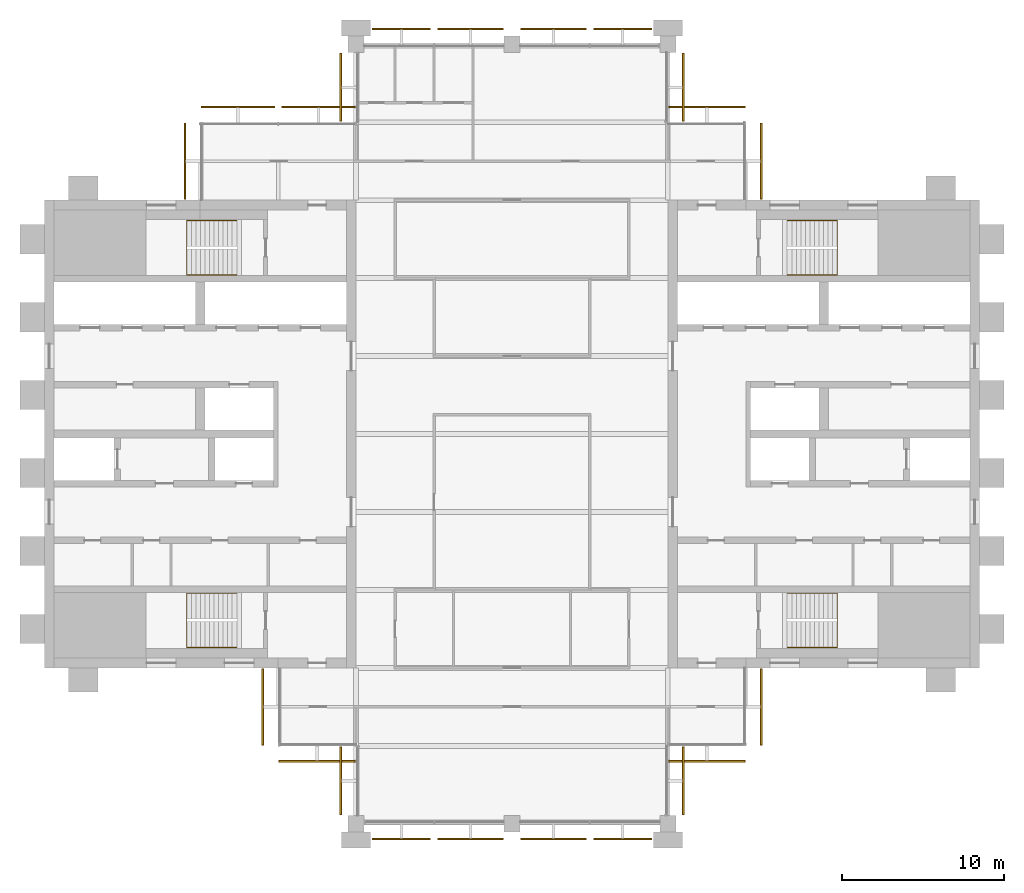
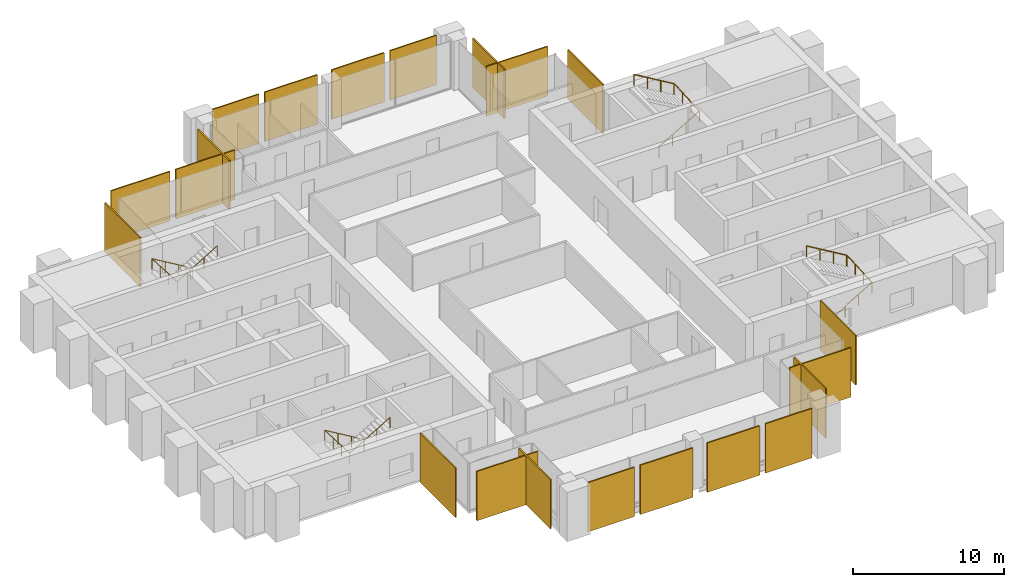
# One storey, part 12 of 12: 21 coverings, 4 railings.
"""IFC4 building model written with IfcOpenShell, lengths in metres."""

from ifc_helpers import new_model, si_unit, direction, frame, origin, origin_2d, place, context, subcontext, project, spatial, polyline, circle, outline, extrude, material, layer, layer_set, type_object, element, save


model = new_model("IFC4")

# Units and contexts
model_context = context("Model", 3, precision=1e-05, world=origin(), true_north=direction((0.0, 1.0)))
body_context = subcontext(model_context, "Body", "Model", "MODEL_VIEW")
ifc_project = project(units=[si_unit("LENGTHUNIT", "METRE"), si_unit("AREAUNIT", "SQUARE_METRE"), si_unit("VOLUMEUNIT", "CUBIC_METRE"), si_unit("PLANEANGLEUNIT", "RADIAN"), si_unit("MASSUNIT", "GRAM", prefix="KILO")], contexts=[model_context])

# Site, building, storey
site_placement = place(None, origin())
site = spatial("IfcSite", under=ifc_project, at=site_placement, CompositionType="ELEMENT")
building_placement = place(site_placement, origin())
building = spatial("IfcBuilding", under=site, at=building_placement, Name="Baori Bourse Tower", CompositionType="ELEMENT")
storey_placement = place(building_placement, frame((0.0, 0.0, 286.300048828125)))
storey = spatial("IfcBuildingStorey", under=building, at=storey_placement, Name="L62", CompositionType="ELEMENT", Elevation=286.300048828125)

# Railings
ifc_material_1 = material(Name="Powder-coated steel balustrade", Category="steel")
railing_type = type_object("IfcRailingType", Name="Core stair handrail", PredefinedType="HANDRAIL", material=ifc_material_1)
railing_1_placement = place(storey_placement, frame((11.85009765625, 14.199951171875, 0.16650390625)))
element("IfcRailing", 1, at=railing_1_placement, inside=storey, type_object=railing_type, Name="L62 ST1 stair handrail 1", PredefinedType="HANDRAIL", context=body_context, shape_type="SweptSolid", body=[
    extrude(circle(Radius=0.02392578125, at=origin_2d()), frame((0.0, 0.0, 0.8759765625), z_axis=(-0.85927862911, 0.0, 0.511507807912), x_axis=(0.0, -1.0, 0.0)), (0.0, 0.0, 1.0), 3.58447265625),
    extrude(circle(Radius=0.02392578125, at=origin_2d()), frame((-3.080078125, 0.0, 2.70947265625), z_axis=(0.0, -0.998766999029, 0.049643545903), x_axis=(1.0, 0.0, 0.0)), (0.0, 0.0, 1.0), 3.35400390625),
    extrude(circle(Radius=0.02392578125, at=origin_2d()), frame((-3.080078125, -3.349853515625, 2.8759765625), z_axis=(0.85927862911, 0.0, 0.511507807912), x_axis=(0.0, 1.0, 0.0)), (0.0, 0.0, 1.0), 3.58447265625),
    extrude(circle(Radius=0.02099609375, at=origin_2d()), origin(), (0.0, 0.0, 1.0), 0.851806640625),
    extrude(circle(Radius=0.02099609375, at=origin_2d()), frame((-1.026611328125, 0.0, 0.611083984375)), (0.0, 0.0, 1.0), 0.851806640625),
    extrude(circle(Radius=0.02099609375, at=origin_2d()), frame((-2.053466796875, 0.0, 1.222412109375)), (0.0, 0.0, 1.0), 0.851806640625),
    extrude(circle(Radius=0.02099609375, at=origin_2d()), frame((-3.080078125, 0.0, 1.83349609375)), (0.0, 0.0, 1.0), 0.851806640625),
    extrude(circle(Radius=0.02099609375, at=origin_2d()), frame((-3.080078125, -1.11669921875, 1.888916015625)), (0.0, 0.0, 1.0), 0.851806640625),
    extrude(circle(Radius=0.02099609375, at=origin_2d()), frame((-3.080078125, -2.233154296875, 1.944580078125)), (0.0, 0.0, 1.0), 0.851806640625),
    extrude(circle(Radius=0.02099609375, at=origin_2d()), frame((-3.080078125, -3.349853515625, 2.0)), (0.0, 0.0, 1.0), 0.851806640625),
    extrude(circle(Radius=0.02099609375, at=origin_2d()), frame((-2.053466796875, -3.349853515625, 2.611083984375)), (0.0, 0.0, 1.0), 0.851806640625),
    extrude(circle(Radius=0.02099609375, at=origin_2d()), frame((-1.026611328125, -3.349853515625, 3.222412109375)), (0.0, 0.0, 1.0), 0.851806640625),
    extrude(circle(Radius=0.02099609375, at=origin_2d()), frame((0.0, -3.349853515625, 3.83349609375)), (0.0, 0.0, 1.0), 0.851806640625),
])
railing_2_placement = place(storey_placement, frame((11.85009765625, 37.14990234375, 0.16650390625)))
element("IfcRailing", 2, at=railing_2_placement, inside=storey, type_object=railing_type, Name="L62 ST2 stair handrail 1", PredefinedType="HANDRAIL", context=body_context, shape_type="SweptSolid", body=[
    extrude(circle(Radius=0.02392578125, at=origin_2d()), frame((0.0, 0.0, 0.8759765625), z_axis=(-0.85927862911, 0.0, 0.511507807912), x_axis=(0.0, -1.0, 0.0)), (0.0, 0.0, 1.0), 3.58447265625),
    extrude(circle(Radius=0.02392578125, at=origin_2d()), frame((-3.080078125, 0.0, 2.70947265625), z_axis=(0.0, -0.998766999029, 0.049643545903), x_axis=(1.0, 0.0, 0.0)), (0.0, 0.0, 1.0), 3.35400390625),
    extrude(circle(Radius=0.02392578125, at=origin_2d()), frame((-3.080078125, -3.349853515625, 2.8759765625), z_axis=(0.85927862911, 0.0, 0.511507807912), x_axis=(0.0, 1.0, 0.0)), (0.0, 0.0, 1.0), 3.58447265625),
    extrude(circle(Radius=0.02099609375, at=origin_2d()), origin(), (0.0, 0.0, 1.0), 0.851806640625),
    extrude(circle(Radius=0.02099609375, at=origin_2d()), frame((-1.026611328125, 0.0, 0.611083984375)), (0.0, 0.0, 1.0), 0.851806640625),
    extrude(circle(Radius=0.02099609375, at=origin_2d()), frame((-2.053466796875, 0.0, 1.222412109375)), (0.0, 0.0, 1.0), 0.851806640625),
    extrude(circle(Radius=0.02099609375, at=origin_2d()), frame((-3.080078125, 0.0, 1.83349609375)), (0.0, 0.0, 1.0), 0.851806640625),
    extrude(circle(Radius=0.02099609375, at=origin_2d()), frame((-3.080078125, -1.11669921875, 1.888916015625)), (0.0, 0.0, 1.0), 0.851806640625),
    extrude(circle(Radius=0.02099609375, at=origin_2d()), frame((-3.080078125, -2.233154296875, 1.944580078125)), (0.0, 0.0, 1.0), 0.851806640625),
    extrude(circle(Radius=0.02099609375, at=origin_2d()), frame((-3.080078125, -3.349853515625, 2.0)), (0.0, 0.0, 1.0), 0.851806640625),
    extrude(circle(Radius=0.02099609375, at=origin_2d()), frame((-2.053466796875, -3.349853515625, 2.611083984375)), (0.0, 0.0, 1.0), 0.851806640625),
    extrude(circle(Radius=0.02099609375, at=origin_2d()), frame((-1.026611328125, -3.349853515625, 3.222412109375)), (0.0, 0.0, 1.0), 0.851806640625),
    extrude(circle(Radius=0.02099609375, at=origin_2d()), frame((0.0, -3.349853515625, 3.83349609375)), (0.0, 0.0, 1.0), 0.851806640625),
])
railing_3_placement = place(storey_placement, frame((45.75, 10.85009765625, 0.16650390625)))
element("IfcRailing", 3, at=railing_3_placement, inside=storey, type_object=railing_type, Name="L62 ST3 stair handrail 1", PredefinedType="HANDRAIL", context=body_context, shape_type="SweptSolid", body=[
    extrude(circle(Radius=0.02392578125, at=origin_2d()), frame((0.0, 0.0, 0.8759765625), z_axis=(0.85927862911, 0.0, 0.511507807912), x_axis=(0.0, 1.0, 0.0)), (0.0, 0.0, 1.0), 3.58447265625),
    extrude(circle(Radius=0.02392578125, at=origin_2d()), frame((3.080078125, 0.0, 2.70947265625), z_axis=(0.0, 0.998766999029, 0.049643545903), x_axis=(-1.0, 0.0, 0.0)), (0.0, 0.0, 1.0), 3.35400390625),
    extrude(circle(Radius=0.02392578125, at=origin_2d()), frame((3.080078125, 3.349853515625, 2.8759765625), z_axis=(-0.85927862911, 0.0, 0.511507807912), x_axis=(0.0, -1.0, 0.0)), (0.0, 0.0, 1.0), 3.58447265625),
    extrude(circle(Radius=0.02099609375, at=origin_2d()), origin(), (0.0, 0.0, 1.0), 0.851806640625),
    extrude(circle(Radius=0.02099609375, at=origin_2d()), frame((1.026611328125, 0.0, 0.611083984375)), (0.0, 0.0, 1.0), 0.851806640625),
    extrude(circle(Radius=0.02099609375, at=origin_2d()), frame((2.053466796875, 0.0, 1.222412109375)), (0.0, 0.0, 1.0), 0.851806640625),
    extrude(circle(Radius=0.02099609375, at=origin_2d()), frame((3.080078125, 0.0, 1.83349609375)), (0.0, 0.0, 1.0), 0.851806640625),
    extrude(circle(Radius=0.02099609375, at=origin_2d()), frame((3.080078125, 1.11669921875, 1.888916015625)), (0.0, 0.0, 1.0), 0.851806640625),
    extrude(circle(Radius=0.02099609375, at=origin_2d()), frame((3.080078125, 2.233154296875, 1.944580078125)), (0.0, 0.0, 1.0), 0.851806640625),
    extrude(circle(Radius=0.02099609375, at=origin_2d()), frame((3.080078125, 3.349853515625, 2.0)), (0.0, 0.0, 1.0), 0.851806640625),
    extrude(circle(Radius=0.02099609375, at=origin_2d()), frame((2.053466796875, 3.349853515625, 2.611083984375)), (0.0, 0.0, 1.0), 0.851806640625),
    extrude(circle(Radius=0.02099609375, at=origin_2d()), frame((1.026611328125, 3.349853515625, 3.222412109375)), (0.0, 0.0, 1.0), 0.851806640625),
    extrude(circle(Radius=0.02099609375, at=origin_2d()), frame((0.0, 3.349853515625, 3.83349609375)), (0.0, 0.0, 1.0), 0.851806640625),
])
railing_4_placement = place(storey_placement, frame((45.75, 33.800048828125, 0.16650390625)))
element("IfcRailing", 4, at=railing_4_placement, inside=storey, type_object=railing_type, Name="L62 ST4 stair handrail 1", PredefinedType="HANDRAIL", context=body_context, shape_type="SweptSolid", body=[
    extrude(circle(Radius=0.02392578125, at=origin_2d()), frame((0.0, 0.0, 0.8759765625), z_axis=(0.85927862911, 0.0, 0.511507807912), x_axis=(0.0, 1.0, 0.0)), (0.0, 0.0, 1.0), 3.58447265625),
    extrude(circle(Radius=0.02392578125, at=origin_2d()), frame((3.080078125, 0.0, 2.70947265625), z_axis=(0.0, 0.998766999029, 0.049643545903), x_axis=(-1.0, 0.0, 0.0)), (0.0, 0.0, 1.0), 3.35400390625),
    extrude(circle(Radius=0.02392578125, at=origin_2d()), frame((3.080078125, 3.349853515625, 2.8759765625), z_axis=(-0.85927862911, 0.0, 0.511507807912), x_axis=(0.0, -1.0, 0.0)), (0.0, 0.0, 1.0), 3.58447265625),
    extrude(circle(Radius=0.02099609375, at=origin_2d()), origin(), (0.0, 0.0, 1.0), 0.851806640625),
    extrude(circle(Radius=0.02099609375, at=origin_2d()), frame((1.026611328125, 0.0, 0.611083984375)), (0.0, 0.0, 1.0), 0.851806640625),
    extrude(circle(Radius=0.02099609375, at=origin_2d()), frame((2.053466796875, 0.0, 1.222412109375)), (0.0, 0.0, 1.0), 0.851806640625),
    extrude(circle(Radius=0.02099609375, at=origin_2d()), frame((3.080078125, 0.0, 1.83349609375)), (0.0, 0.0, 1.0), 0.851806640625),
    extrude(circle(Radius=0.02099609375, at=origin_2d()), frame((3.080078125, 1.11669921875, 1.888916015625)), (0.0, 0.0, 1.0), 0.851806640625),
    extrude(circle(Radius=0.02099609375, at=origin_2d()), frame((3.080078125, 2.233154296875, 1.944580078125)), (0.0, 0.0, 1.0), 0.851806640625),
    extrude(circle(Radius=0.02099609375, at=origin_2d()), frame((3.080078125, 3.349853515625, 2.0)), (0.0, 0.0, 1.0), 0.851806640625),
    extrude(circle(Radius=0.02099609375, at=origin_2d()), frame((2.053466796875, 3.349853515625, 2.611083984375)), (0.0, 0.0, 1.0), 0.851806640625),
    extrude(circle(Radius=0.02099609375, at=origin_2d()), frame((1.026611328125, 3.349853515625, 3.222412109375)), (0.0, 0.0, 1.0), 0.851806640625),
    extrude(circle(Radius=0.02099609375, at=origin_2d()), frame((0.0, 3.349853515625, 3.83349609375)), (0.0, 0.0, 1.0), 0.851806640625),
])

# Coverings
ifc_material_2 = material(Name="Pale anodised aluminium", Category="aluminium")
ifc_layer = layer(ifc_material_2, 0.10009765625)
ifc_layer_set = layer_set([ifc_layer], Name="OS3 Outer skin screen panel")
covering_type = type_object("IfcCoveringType", Name="OS3 Outer skin screen panel", PredefinedType="CLADDING", material=ifc_layer_set)
covering_1_placement = place(storey_placement, frame((0.0, 0.0, -0.16015625)))
element("IfcCovering", 5, at=covering_1_placement, inside=storey, type_object=covering_type, Name="Outer skin screen L62 1", PredefinedType="CLADDING", context=body_context, shape_type="SweptSolid", body=[
    extrude(outline(polyline([(44.10009765625, 43.14990234375), (44.10009765625, 38.449951171875), (44.199951171875, 38.449951171875), (44.199951171875, 43.14990234375), (44.10009765625, 43.14990234375)])), origin(), (0.0, 0.0, 1.0), 4.0),
])
covering_2_placement = place(storey_placement, frame((0.0, 0.0, -0.16015625)))
element("IfcCovering", 6, at=covering_2_placement, inside=storey, type_object=covering_type, Name="Outer skin screen L62 2", PredefinedType="CLADDING", context=body_context, shape_type="SweptSolid", body=[
    extrude(outline(polyline([(38.449951171875, 44.10009765625), (43.14990234375, 44.10009765625), (43.14990234375, 44.199951171875), (38.449951171875, 44.199951171875), (38.449951171875, 44.10009765625)])), origin(), (0.0, 0.0, 1.0), 4.0),
])
covering_3_placement = place(storey_placement, frame((0.0, 0.0, -0.16015625)))
element("IfcCovering", 7, at=covering_3_placement, inside=storey, type_object=covering_type, Name="Outer skin screen L62 3", PredefinedType="CLADDING", context=body_context, shape_type="SweptSolid", body=[
    extrude(outline(polyline([(39.300048828125, 47.449951171875), (39.300048828125, 43.25), (39.39990234375, 43.25), (39.39990234375, 47.449951171875), (39.300048828125, 47.449951171875)])), origin(), (0.0, 0.0, 1.0), 4.0),
])
covering_4_placement = place(storey_placement, frame((0.0, 0.0, -0.16015625)))
element("IfcCovering", 8, at=covering_4_placement, inside=storey, type_object=covering_type, Name="Outer skin screen L62 4", PredefinedType="CLADDING", context=body_context, shape_type="SweptSolid", body=[
    extrude(outline(polyline([(33.824951171875, 48.89990234375), (37.39990234375, 48.89990234375), (37.39990234375, 49.0), (33.824951171875, 49.0), (33.824951171875, 48.89990234375)])), origin(), (0.0, 0.0, 1.0), 4.0),
])
covering_5_placement = place(storey_placement, frame((0.0, 0.0, -0.16015625)))
element("IfcCovering", 9, at=covering_5_placement, inside=storey, type_object=covering_type, Name="Outer skin screen L62 5", PredefinedType="CLADDING", context=body_context, shape_type="SweptSolid", body=[
    extrude(outline(polyline([(29.35009765625, 48.89990234375), (33.375, 48.89990234375), (33.375, 49.0), (29.35009765625, 49.0), (29.35009765625, 48.89990234375)])), origin(), (0.0, 0.0, 1.0), 4.0),
])
covering_6_placement = place(storey_placement, frame((0.0, 0.0, -0.16015625)))
element("IfcCovering", 10, at=covering_6_placement, inside=storey, type_object=covering_type, Name="Outer skin screen L62 6", PredefinedType="CLADDING", context=body_context, shape_type="SweptSolid", body=[
    extrude(outline(polyline([(24.22509765625, 48.89990234375), (28.25, 48.89990234375), (28.25, 49.0), (24.22509765625, 49.0), (24.22509765625, 48.89990234375)])), origin(), (0.0, 0.0, 1.0), 4.0),
])
covering_7_placement = place(storey_placement, frame((0.0, 0.0, -0.16015625)))
element("IfcCovering", 11, at=covering_7_placement, inside=storey, type_object=covering_type, Name="Outer skin screen L62 7", PredefinedType="CLADDING", context=body_context, shape_type="SweptSolid", body=[
    extrude(outline(polyline([(20.199951171875, 48.89990234375), (23.77490234375, 48.89990234375), (23.77490234375, 49.0), (20.199951171875, 49.0), (20.199951171875, 48.89990234375)])), origin(), (0.0, 0.0, 1.0), 4.0),
])
covering_8_placement = place(storey_placement, frame((0.0, 0.0, -0.16015625)))
element("IfcCovering", 12, at=covering_8_placement, inside=storey, type_object=covering_type, Name="Outer skin screen L62 8", PredefinedType="CLADDING", context=body_context, shape_type="SweptSolid", body=[
    extrude(outline(polyline([(18.300048828125, 43.25), (18.300048828125, 47.449951171875), (18.199951171875, 47.449951171875), (18.199951171875, 43.25), (18.300048828125, 43.25)])), origin(), (0.0, 0.0, 1.0), 4.0),
])
covering_9_placement = place(storey_placement, frame((0.0, 0.0, -0.16015625)))
element("IfcCovering", 13, at=covering_9_placement, inside=storey, type_object=covering_type, Name="Outer skin screen L62 9", PredefinedType="CLADDING", context=body_context, shape_type="SweptSolid", body=[
    extrude(outline(polyline([(14.625, 44.10009765625), (19.14990234375, 44.10009765625), (19.14990234375, 44.199951171875), (14.625, 44.199951171875), (14.625, 44.10009765625)])), origin(), (0.0, 0.0, 1.0), 4.0),
])
covering_10_placement = place(storey_placement, frame((0.0, 0.0, -0.16015625)))
element("IfcCovering", 14, at=covering_10_placement, inside=storey, type_object=covering_type, Name="Outer skin screen L62 10", PredefinedType="CLADDING", context=body_context, shape_type="SweptSolid", body=[
    extrude(outline(polyline([(9.64990234375, 44.10009765625), (14.175048828125, 44.10009765625), (14.175048828125, 44.199951171875), (9.64990234375, 44.199951171875), (9.64990234375, 44.10009765625)])), origin(), (0.0, 0.0, 1.0), 4.0),
])
covering_11_placement = place(storey_placement, frame((0.0, 0.0, -0.16015625)))
element("IfcCovering", 15, at=covering_11_placement, inside=storey, type_object=covering_type, Name="Outer skin screen L62 11", PredefinedType="CLADDING", context=body_context, shape_type="SweptSolid", body=[
    extrude(outline(polyline([(8.699951171875, 38.449951171875), (8.699951171875, 43.14990234375), (8.60009765625, 43.14990234375), (8.60009765625, 38.449951171875), (8.699951171875, 38.449951171875)])), origin(), (0.0, 0.0, 1.0), 4.0),
])
covering_12_placement = place(storey_placement, frame((0.0, 0.0, -0.16015625)))
element("IfcCovering", 16, at=covering_12_placement, inside=storey, type_object=covering_type, Name="Outer skin screen L62 12", PredefinedType="CLADDING", context=body_context, shape_type="SweptSolid", body=[
    extrude(outline(polyline([(13.5, 4.85009765625), (13.5, 9.550048828125), (13.39990234375, 9.550048828125), (13.39990234375, 4.85009765625), (13.5, 4.85009765625)])), origin(), (0.0, 0.0, 1.0), 4.0),
])
covering_13_placement = place(storey_placement, frame((0.0, 0.0, -0.16015625)))
element("IfcCovering", 17, at=covering_13_placement, inside=storey, type_object=covering_type, Name="Outer skin screen L62 13", PredefinedType="CLADDING", context=body_context, shape_type="SweptSolid", body=[
    extrude(outline(polyline([(19.14990234375, 3.89990234375), (14.449951171875, 3.89990234375), (14.449951171875, 3.800048828125), (19.14990234375, 3.800048828125), (19.14990234375, 3.89990234375)])), origin(), (0.0, 0.0, 1.0), 4.0),
])
covering_14_placement = place(storey_placement, frame((0.0, 0.0, -0.16015625)))
element("IfcCovering", 18, at=covering_14_placement, inside=storey, type_object=covering_type, Name="Outer skin screen L62 14", PredefinedType="CLADDING", context=body_context, shape_type="SweptSolid", body=[
    extrude(outline(polyline([(18.300048828125, 0.550048828125), (18.300048828125, 4.75), (18.199951171875, 4.75), (18.199951171875, 0.550048828125), (18.300048828125, 0.550048828125)])), origin(), (0.0, 0.0, 1.0), 4.0),
])
covering_15_placement = place(storey_placement, frame((0.0, 0.0, -0.16015625)))
element("IfcCovering", 19, at=covering_15_placement, inside=storey, type_object=covering_type, Name="Outer skin screen L62 15", PredefinedType="CLADDING", context=body_context, shape_type="SweptSolid", body=[
    extrude(outline(polyline([(23.77490234375, -0.89990234375), (20.199951171875, -0.89990234375), (20.199951171875, -1.0), (23.77490234375, -1.0), (23.77490234375, -0.89990234375)])), origin(), (0.0, 0.0, 1.0), 4.0),
])
covering_16_placement = place(storey_placement, frame((0.0, 0.0, -0.16015625)))
element("IfcCovering", 20, at=covering_16_placement, inside=storey, type_object=covering_type, Name="Outer skin screen L62 16", PredefinedType="CLADDING", context=body_context, shape_type="SweptSolid", body=[
    extrude(outline(polyline([(28.25, -0.89990234375), (24.22509765625, -0.89990234375), (24.22509765625, -1.0), (28.25, -1.0), (28.25, -0.89990234375)])), origin(), (0.0, 0.0, 1.0), 4.0),
])
covering_17_placement = place(storey_placement, frame((0.0, 0.0, -0.16015625)))
element("IfcCovering", 21, at=covering_17_placement, inside=storey, type_object=covering_type, Name="Outer skin screen L62 17", PredefinedType="CLADDING", context=body_context, shape_type="SweptSolid", body=[
    extrude(outline(polyline([(33.375, -0.89990234375), (29.35009765625, -0.89990234375), (29.35009765625, -1.0), (33.375, -1.0), (33.375, -0.89990234375)])), origin(), (0.0, 0.0, 1.0), 4.0),
])
covering_18_placement = place(storey_placement, frame((0.0, 0.0, -0.16015625)))
element("IfcCovering", 22, at=covering_18_placement, inside=storey, type_object=covering_type, Name="Outer skin screen L62 18", PredefinedType="CLADDING", context=body_context, shape_type="SweptSolid", body=[
    extrude(outline(polyline([(37.39990234375, -0.89990234375), (33.824951171875, -0.89990234375), (33.824951171875, -1.0), (37.39990234375, -1.0), (37.39990234375, -0.89990234375)])), origin(), (0.0, 0.0, 1.0), 4.0),
])
covering_19_placement = place(storey_placement, frame((0.0, 0.0, -0.16015625)))
element("IfcCovering", 23, at=covering_19_placement, inside=storey, type_object=covering_type, Name="Outer skin screen L62 19", PredefinedType="CLADDING", context=body_context, shape_type="SweptSolid", body=[
    extrude(outline(polyline([(39.300048828125, 4.75), (39.300048828125, 0.550048828125), (39.39990234375, 0.550048828125), (39.39990234375, 4.75), (39.300048828125, 4.75)])), origin(), (0.0, 0.0, 1.0), 4.0),
])
covering_20_placement = place(storey_placement, frame((0.0, 0.0, -0.16015625)))
element("IfcCovering", 24, at=covering_20_placement, inside=storey, type_object=covering_type, Name="Outer skin screen L62 20", PredefinedType="CLADDING", context=body_context, shape_type="SweptSolid", body=[
    extrude(outline(polyline([(43.14990234375, 3.89990234375), (38.449951171875, 3.89990234375), (38.449951171875, 3.800048828125), (43.14990234375, 3.800048828125), (43.14990234375, 3.89990234375)])), origin(), (0.0, 0.0, 1.0), 4.0),
])
covering_21_placement = place(storey_placement, frame((0.0, 0.0, -0.16015625)))
element("IfcCovering", 25, at=covering_21_placement, inside=storey, type_object=covering_type, Name="Outer skin screen L62 21", PredefinedType="CLADDING", context=body_context, shape_type="SweptSolid", body=[
    extrude(outline(polyline([(44.10009765625, 9.550048828125), (44.10009765625, 4.85009765625), (44.199951171875, 4.85009765625), (44.199951171875, 9.550048828125), (44.10009765625, 9.550048828125)])), origin(), (0.0, 0.0, 1.0), 4.0),
])

save(model, "model.ifc")
